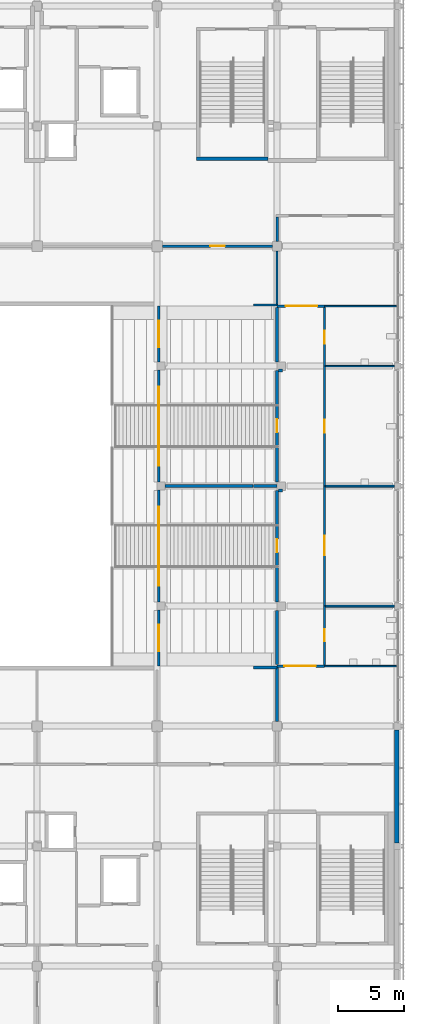
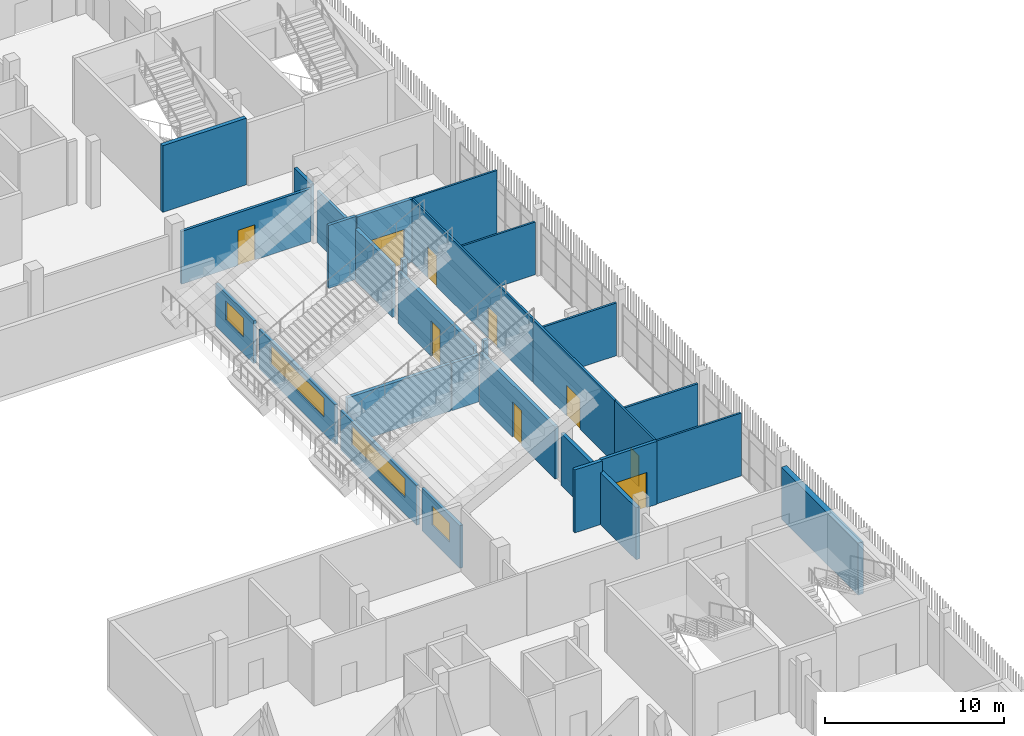
# One storey, part 90 of 139: 30 walls, 9 doors, 4 windows, 13 openings.
"""IFC4 building model written with IfcOpenShell, lengths in metres."""

from ifc_helpers import new_model, si_unit, direction, frame, frame_2d, origin, place, context, subcontext, project, spatial, rectangle, extrude, material, layer, layer_set, type_object, element, fill, save


model = new_model("IFC4")

# Units and contexts
model_context = context("Model", 3, precision=1e-05, world=origin(), true_north=direction((0.0, 1.0)))
body_context = subcontext(model_context, "Body", "Model", "MODEL_VIEW")
ifc_project = project(units=[si_unit("LENGTHUNIT", "METRE"), si_unit("AREAUNIT", "SQUARE_METRE"), si_unit("VOLUMEUNIT", "CUBIC_METRE"), si_unit("PLANEANGLEUNIT", "RADIAN"), si_unit("MASSUNIT", "GRAM", prefix="KILO")], contexts=[model_context])

# Site, building, storey
site_placement = place(None, origin())
site = spatial("IfcSite", under=ifc_project, at=site_placement, CompositionType="ELEMENT")
building_placement = place(site_placement, origin())
building = spatial("IfcBuilding", under=site, at=building_placement, Name="Shirokan Park Arena", CompositionType="ELEMENT")
storey_placement = place(building_placement, frame((0.0, 0.0, 15.469970703125)))
storey = spatial("IfcBuildingStorey", under=building, at=storey_placement, Name="L03", CompositionType="ELEMENT", Elevation=15.469970703125)

# Wall, opening, door
ifc_material_1 = material(Name="Gypsum board")
ifc_layer_1 = layer(ifc_material_1, 0.02490234375, Name="Gypsum board, two layers")
ifc_material_2 = material(Name="Mineral wool insulation")
ifc_layer_2 = layer(ifc_material_2, 0.10009765625, Name="Acoustic mineral wool in studs")
ifc_layer_3 = layer(ifc_material_1, 0.02490234375, Name="Gypsum board, two layers")
ifc_material_3 = material(Name="Acoustic mat on resilient channel")
ifc_layer_4 = layer(ifc_material_3, 0.02490234375, Name="Acoustic mat on resilient channel")
ifc_layer_set_1 = layer_set([ifc_layer_1, ifc_layer_2, ifc_layer_3, ifc_layer_4], Name="Gypsum board, two layers + Acoustic mineral wool in studs + Acoustic mat on resilient channel")
wall_type_1 = type_object("IfcWallType", Name="Acoustic studio wall 175", PredefinedType="PARTITIONING", material=ifc_layer_set_1)
wall_1_placement = place(storey_placement, frame((127.800048828125, 72.800048828125, 0.0), z_axis=(0.0, 0.0, 1.0), x_axis=(1.0, 0.0, 0.0)))
wall_1 = element("IfcWall", 1, at=wall_1_placement, inside=storey, type_object=wall_type_1, Name="Acoustic studio wall 175 L03", PredefinedType="PARTITIONING", context=body_context, shape_type="SweptSolid", body=[
    extrude(rectangle(XDim=8.349853515625, YDim=0.175048828125, at=frame_2d((4.1748046875, 0.0))), origin(), (0.0, 0.0, 1.0), 3.60009765625),
])
opening_1_placement = place(wall_1_placement, frame((3.64990234375, 0.0, 0.0)))
opening_1 = element("IfcOpeningElement", 2, at=opening_1_placement, cuts=wall_1, Name="Opening D-3029", PredefinedType="OPENING", context=body_context, shape_type="SweptSolid", body=[
    extrude(rectangle(XDim=1.10009765625, YDim=2.39990234375, at=frame_2d((0.550048828125, 1.199951171875))), frame((0.0, 0.097412109375, 0.0), z_axis=(0.0, -1.0, 0.0), x_axis=(1.0, 0.0, 0.0)), (0.0, 0.0, 1.0), 0.195068359375),
])
ifc_material_4 = material(Name="Acoustic timber door set, fire resisting", Category="wood")
door_type_1 = type_object("IfcDoorType", Name="Acoustic studio door 1100 x 2400", OperationType="SINGLE_SWING_LEFT", PredefinedType="DOOR", material=ifc_material_4)
door_1_placement = place(opening_1_placement, origin())
door_1 = element("IfcDoor", 3, at=door_1_placement, inside=storey, type_object=door_type_1, Name="Door to Media Centre 3.31 D-3029", OperationType="SINGLE_SWING_RIGHT", OverallHeight=2.39990234375, OverallWidth=1.10009765625, PredefinedType="DOOR", context=body_context, shape_type="SweptSolid", body=[
    extrude(rectangle(XDim=1.10009765625, YDim=2.39990234375, at=frame_2d((0.550048828125, 1.199951171875))), frame((0.0, 0.02490234375, 0.0), z_axis=(0.0, -1.0, 0.0), x_axis=(1.0, 0.0, 0.0)), (0.0, 0.0, 1.0), 0.050048828125),
])
fill(opening_1, door_1)

# Walls
wall_2_placement = place(storey_placement, frame((136.5, 68.33837890625, 0.0), z_axis=(0.0, 0.0, 1.0), x_axis=(-1.0, 0.0, 0.0)))
element("IfcWall", 4, at=wall_2_placement, inside=storey, type_object=wall_type_1, Name="Acoustic studio wall 175 L03", PredefinedType="PARTITIONING", context=body_context, shape_type="SweptSolid", body=[
    extrude(rectangle(XDim=1.77001953125, YDim=0.175048828125, at=frame_2d((0.885009765625, 0.0))), origin(), (0.0, 0.0, 1.0), 4.300048828125),
])
wall_3_placement = place(storey_placement, frame((136.5, 72.449951171875, 0.0), z_axis=(0.0, 0.0, 1.0), x_axis=(0.0, -1.0, 0.0)))
element("IfcWall", 5, at=wall_3_placement, inside=storey, type_object=wall_type_1, Name="Acoustic studio wall 175 L03", PredefinedType="PARTITIONING", context=body_context, shape_type="SweptSolid", body=[
    extrude(rectangle(XDim=4.099853515625, YDim=0.175048828125, at=frame_2d((2.0498046875, 0.0))), origin(), (0.0, 0.0, 1.0), 3.550048828125),
])

# Wall, opening, window
ifc_material_5 = material(Name="Cedar timber lining", Category="wood")
ifc_layer_5 = layer(ifc_material_5, 0.02001953125, Name="Cedar timber lining")
ifc_material_6 = material(Name="Plywood", Category="wood")
ifc_layer_6 = layer(ifc_material_6, 0.01806640625, Name="Plywood")
ifc_layer_7 = layer(ifc_material_2, 0.14208984375, Name="Mineral wool insulation")
ifc_layer_8 = layer(ifc_material_1, 0.02001953125, Name="Gypsum board")
ifc_layer_set_2 = layer_set([ifc_layer_5, ifc_layer_6, ifc_layer_7, ifc_layer_8], Name="Cedar timber lining + Plywood + Mineral wool insulation + Gypsum board")
wall_type_2 = type_object("IfcWallType", Name="Bowl front wall 200", PredefinedType="PARTITIONING", material=ifc_layer_set_2)
wall_4_placement = place(storey_placement, frame((127.530029296875, 40.949951171875, 0.0), z_axis=(0.0, 0.0, 1.0), x_axis=(0.0, 1.0, 0.0)))
wall_4 = element("IfcWall", 6, at=wall_4_placement, inside=storey, type_object=wall_type_2, Name="Bowl front wall 200 L03", PredefinedType="PARTITIONING", context=body_context, shape_type="SweptSolid", body=[
    extrude(rectangle(XDim=4.25, YDim=0.199951171875, at=frame_2d((2.125, 0.0))), origin(), (0.0, 0.0, 1.0), 2.909912109375),
])
opening_2_placement = place(wall_4_placement, frame((1.125, 0.0, 1.10009765625)))
opening_2 = element("IfcOpeningElement", 7, at=opening_2_placement, cuts=wall_4, Name="Opening W7", PredefinedType="OPENING", context=body_context, shape_type="SweptSolid", body=[
    extrude(rectangle(XDim=2.0, YDim=1.300048828125, at=frame_2d((1.0, 0.64990234375))), frame((0.0, 0.10986328125, 0.0), z_axis=(0.0, -1.0, 0.0), x_axis=(1.0, 0.0, 0.0)), (0.0, 0.0, 1.0), 0.219970703125),
])
ifc_material_7 = material(Name="Aluminium frame with laminated glass", Category="aluminium")
window_type_1 = type_object("IfcWindowType", Name="Suite viewing window 2000 x 1300", PartitioningType="SINGLE_PANEL", PredefinedType="WINDOW", material=ifc_material_7)
window_1_placement = place(opening_2_placement, origin())
window_1 = element("IfcWindow", 8, at=window_1_placement, inside=storey, type_object=window_type_1, Name="Suite viewing window 2000 x 1300 L03", OverallHeight=1.300048828125, OverallWidth=2.0, PartitioningType="SINGLE_PANEL", PredefinedType="WINDOW", context=body_context, shape_type="SweptSolid", body=[
    extrude(rectangle(XDim=2.0, YDim=1.300048828125, at=frame_2d((1.0, 0.64990234375))), frame((0.0, 0.030029296875, 0.0), z_axis=(0.0, -1.0, 0.0), x_axis=(1.0, 0.0, 0.0)), (0.0, 0.0, 1.0), 0.06005859375),
])
fill(opening_2, window_1)

wall_5_placement = place(storey_placement, frame((127.530029296875, 45.800048828125, 0.0), z_axis=(0.0, 0.0, 1.0), x_axis=(0.0, 1.0, 0.0)))
wall_5 = element("IfcWall", 9, at=wall_5_placement, inside=storey, type_object=wall_type_2, Name="Bowl front wall 200 L03", PredefinedType="PARTITIONING", context=body_context, shape_type="SweptSolid", body=[
    extrude(rectangle(XDim=8.5, YDim=0.199951171875, at=frame_2d((4.25, 0.0))), origin(), (0.0, 0.0, 1.0), 2.7099609375),
])
opening_3_placement = place(wall_5_placement, frame((1.25, 0.0, 1.10009765625)))
opening_3 = element("IfcOpeningElement", 10, at=opening_3_placement, cuts=wall_5, Name="Opening W8", PredefinedType="OPENING", context=body_context, shape_type="SweptSolid", body=[
    extrude(rectangle(XDim=6.0, YDim=1.300048828125, at=frame_2d((3.0, 0.64990234375))), frame((0.0, 0.10986328125, 0.0), z_axis=(0.0, -1.0, 0.0), x_axis=(1.0, 0.0, 0.0)), (0.0, 0.0, 1.0), 0.219970703125),
])
window_type_2 = type_object("IfcWindowType", Name="Suite viewing window 6000 x 1300", PartitioningType="SINGLE_PANEL", PredefinedType="WINDOW", material=ifc_material_7)
window_2_placement = place(opening_3_placement, origin())
window_2 = element("IfcWindow", 11, at=window_2_placement, inside=storey, type_object=window_type_2, Name="Suite viewing window 6000 x 1300 L03", OverallHeight=1.300048828125, OverallWidth=6.0, PartitioningType="SINGLE_PANEL", PredefinedType="WINDOW", context=body_context, shape_type="SweptSolid", body=[
    extrude(rectangle(XDim=6.0, YDim=1.300048828125, at=frame_2d((3.0, 0.64990234375))), frame((0.0, 0.030029296875, 0.0), z_axis=(0.0, -1.0, 0.0), x_axis=(1.0, 0.0, 0.0)), (0.0, 0.0, 1.0), 0.06005859375),
])
fill(opening_3, window_2)

wall_6_placement = place(storey_placement, frame((127.530029296875, 54.89990234375, 0.0), z_axis=(0.0, 0.0, 1.0), x_axis=(0.0, 1.0, 0.0)))
wall_6 = element("IfcWall", 12, at=wall_6_placement, inside=storey, type_object=wall_type_2, Name="Bowl front wall 200 L03", PredefinedType="PARTITIONING", context=body_context, shape_type="SweptSolid", body=[
    extrude(rectangle(XDim=8.5, YDim=0.199951171875, at=frame_2d((4.25, 0.0))), origin(), (0.0, 0.0, 1.0), 2.7099609375),
])
opening_4_placement = place(wall_6_placement, frame((1.25, 0.0, 1.10009765625)))
opening_4 = element("IfcOpeningElement", 13, at=opening_4_placement, cuts=wall_6, Name="Opening W8", PredefinedType="OPENING", context=body_context, shape_type="SweptSolid", body=[
    extrude(rectangle(XDim=6.0, YDim=1.300048828125, at=frame_2d((3.0, 0.64990234375))), frame((0.0, 0.10986328125, 0.0), z_axis=(0.0, -1.0, 0.0), x_axis=(1.0, 0.0, 0.0)), (0.0, 0.0, 1.0), 0.219970703125),
])
window_3_placement = place(opening_4_placement, origin())
window_3 = element("IfcWindow", 14, at=window_3_placement, inside=storey, type_object=window_type_2, Name="Suite viewing window 6000 x 1300 L03", OverallHeight=1.300048828125, OverallWidth=6.0, PartitioningType="SINGLE_PANEL", PredefinedType="WINDOW", context=body_context, shape_type="SweptSolid", body=[
    extrude(rectangle(XDim=6.0, YDim=1.300048828125, at=frame_2d((3.0, 0.64990234375))), frame((0.0, 0.030029296875, 0.0), z_axis=(0.0, -1.0, 0.0), x_axis=(1.0, 0.0, 0.0)), (0.0, 0.0, 1.0), 0.06005859375),
])
fill(opening_4, window_3)

wall_7_placement = place(storey_placement, frame((127.530029296875, 64.0, 0.0), z_axis=(0.0, 0.0, 1.0), x_axis=(0.0, 1.0, 0.0)))
wall_7 = element("IfcWall", 15, at=wall_7_placement, inside=storey, type_object=wall_type_2, Name="Bowl front wall 200 L03", PredefinedType="PARTITIONING", context=body_context, shape_type="SweptSolid", body=[
    extrude(rectangle(XDim=4.25, YDim=0.199951171875, at=frame_2d((2.125, 0.0))), origin(), (0.0, 0.0, 1.0), 2.909912109375),
])
opening_5_placement = place(wall_7_placement, frame((1.125, 0.0, 1.10009765625)))
opening_5 = element("IfcOpeningElement", 16, at=opening_5_placement, cuts=wall_7, Name="Opening W7", PredefinedType="OPENING", context=body_context, shape_type="SweptSolid", body=[
    extrude(rectangle(XDim=2.0, YDim=1.300048828125, at=frame_2d((1.0, 0.64990234375))), frame((0.0, 0.10986328125, 0.0), z_axis=(0.0, -1.0, 0.0), x_axis=(1.0, 0.0, 0.0)), (0.0, 0.0, 1.0), 0.219970703125),
])
window_4_placement = place(opening_5_placement, origin())
window_4 = element("IfcWindow", 17, at=window_4_placement, inside=storey, type_object=window_type_1, Name="Suite viewing window 2000 x 1300 L03", OverallHeight=1.300048828125, OverallWidth=2.0, PartitioningType="SINGLE_PANEL", PredefinedType="WINDOW", context=body_context, shape_type="SweptSolid", body=[
    extrude(rectangle(XDim=2.0, YDim=1.300048828125, at=frame_2d((1.0, 0.64990234375))), frame((0.0, 0.030029296875, 0.0), z_axis=(0.0, -1.0, 0.0), x_axis=(1.0, 0.0, 0.0)), (0.0, 0.0, 1.0), 0.06005859375),
])
fill(opening_5, window_4)

# Wall
ifc_material_8 = material(Name="Plaster")
ifc_layer_9 = layer(ifc_material_8, 0.014892578125, Name="Plaster")
ifc_material_9 = material(Name="Concrete blockwork", Category="masonry")
ifc_layer_10 = layer(ifc_material_9, 0.219970703125, Name="Concrete blockwork 220")
ifc_layer_11 = layer(ifc_material_8, 0.014892578125, Name="Plaster")
ifc_layer_set_3 = layer_set([ifc_layer_9, ifc_layer_10, ifc_layer_11], Name="Plaster + Concrete blockwork 220")
wall_type_3 = type_object("IfcWallType", Name="Compartment wall 250", PredefinedType="SOLIDWALL", material=ifc_layer_set_3)
wall_8_placement = place(storey_placement, frame((136.5, 40.83740234375, 0.0), z_axis=(0.0, 0.0, 1.0), x_axis=(0.0, -1.0, 0.0)))
element("IfcWall", 18, at=wall_8_placement, inside=storey, type_object=wall_type_3, Name="Compartment wall 250 L03", PredefinedType="SOLIDWALL", context=body_context, shape_type="SweptSolid", body=[
    extrude(rectangle(XDim=4.08740234375, YDim=0.25, at=frame_2d((2.043701171875, 0.0))), origin(), (0.0, 0.0, 1.0), 3.550048828125),
])

# Wall, opening, door
ifc_layer_12 = layer(ifc_material_1, 0.02490234375, Name="Gypsum board, two layers")
ifc_layer_13 = layer(ifc_material_2, 0.14990234375, Name="Mineral wool insulation")
ifc_layer_14 = layer(ifc_material_1, 0.02490234375, Name="Gypsum board, two layers")
ifc_layer_set_4 = layer_set([ifc_layer_12, ifc_layer_13, ifc_layer_14], Name="Gypsum board, two layers + Mineral wool insulation")
wall_type_4 = type_object("IfcWallType", Name="Corridor wall 200", PredefinedType="PARTITIONING", material=ifc_layer_set_4)
wall_9_placement = place(storey_placement, frame((136.5, 40.949951171875, 0.0), z_axis=(0.0, 0.0, 1.0), x_axis=(1.0, 0.0, 0.0)))
wall_9 = element("IfcWall", 19, at=wall_9_placement, inside=storey, type_object=wall_type_4, Name="Corridor wall 200 L03", PredefinedType="PARTITIONING", context=body_context, shape_type="SweptSolid", body=[
    extrude(rectangle(XDim=3.60009765625, YDim=0.199951171875, at=frame_2d((1.800048828125, 0.0))), origin(), (0.0, 0.0, 1.0), 4.300048828125),
])
opening_6_placement = place(wall_9_placement, frame((0.550048828125, 0.0, 0.0)))
opening_6 = element("IfcOpeningElement", 20, at=opening_6_placement, cuts=wall_9, Name="Opening D-3110", PredefinedType="OPENING", context=body_context, shape_type="SweptSolid", body=[
    extrude(rectangle(XDim=2.39990234375, YDim=2.39990234375, at=frame_2d((1.199951171875, 1.199951171875))), frame((0.0, 0.10986328125, 0.0), z_axis=(0.0, -1.0, 0.0), x_axis=(1.0, 0.0, 0.0)), (0.0, 0.0, 1.0), 0.219970703125),
])
ifc_material_10 = material(Name="Steel door set, fire resisting", Category="steel")
door_type_2 = type_object("IfcDoorType", Name="Double door 2400 x 2400", OperationType="DOUBLE_DOOR_SINGLE_SWING", PredefinedType="DOOR", material=ifc_material_10)
door_2_placement = place(opening_6_placement, origin())
door_2 = element("IfcDoor", 21, at=door_2_placement, inside=storey, type_object=door_type_2, Name="Door between Concourse Link 2.3 and Suite Corridor 3.02 D-3110", OperationType="DOUBLE_DOOR_SINGLE_SWING", OverallHeight=2.39990234375, OverallWidth=2.39990234375, PredefinedType="DOOR", context=body_context, shape_type="SweptSolid", body=[
    extrude(rectangle(XDim=2.39990234375, YDim=2.39990234375, at=frame_2d((1.199951171875, 1.199951171875))), frame((0.0, 0.02490234375, 0.0), z_axis=(0.0, -1.0, 0.0), x_axis=(1.0, 0.0, 0.0)), (0.0, 0.0, 1.0), 0.050048828125),
])
fill(opening_6, door_2)

# Wall
wall_10_placement = place(storey_placement, frame((136.5, 75.0, 0.0), z_axis=(0.0, 0.0, 1.0), x_axis=(0.0, -1.0, 0.0)))
element("IfcWall", 22, at=wall_10_placement, inside=storey, type_object=wall_type_4, Name="Corridor wall 200 L03", PredefinedType="PARTITIONING", context=body_context, shape_type="SweptSolid", body=[
    extrude(rectangle(XDim=1.85009765625, YDim=0.199951171875, at=frame_2d((0.925048828125, 0.0))), origin(), (0.0, 0.0, 1.0), 3.550048828125),
])

# Wall, opening, door
wall_11_placement = place(storey_placement, frame((140.10009765625, 68.25, 0.0), z_axis=(0.0, 0.0, 1.0), x_axis=(-1.0, 0.0, 0.0)))
wall_11 = element("IfcWall", 23, at=wall_11_placement, inside=storey, type_object=wall_type_4, Name="Corridor wall 200 L03", PredefinedType="PARTITIONING", context=body_context, shape_type="SweptSolid", body=[
    extrude(rectangle(XDim=3.60009765625, YDim=0.199951171875, at=frame_2d((1.800048828125, 0.0))), origin(), (0.0, 0.0, 1.0), 4.300048828125),
])
opening_7_placement = place(wall_11_placement, frame((0.550048828125, 0.0, 0.0)))
opening_7 = element("IfcOpeningElement", 24, at=opening_7_placement, cuts=wall_11, Name="Opening D-3124", PredefinedType="OPENING", context=body_context, shape_type="SweptSolid", body=[
    extrude(rectangle(XDim=2.39990234375, YDim=2.39990234375, at=frame_2d((1.199951171875, 1.199951171875))), frame((0.0, 0.10986328125, 0.0), z_axis=(0.0, -1.0, 0.0), x_axis=(1.0, 0.0, 0.0)), (0.0, 0.0, 1.0), 0.219970703125),
])
door_3_placement = place(opening_7_placement, origin())
door_3 = element("IfcDoor", 25, at=door_3_placement, inside=storey, type_object=door_type_2, Name="Door between Concourse Link 3.3 and Suite Corridor 3.02 D-3124", OperationType="DOUBLE_DOOR_SINGLE_SWING", OverallHeight=2.39990234375, OverallWidth=2.39990234375, PredefinedType="DOOR", context=body_context, shape_type="SweptSolid", body=[
    extrude(rectangle(XDim=2.39990234375, YDim=2.39990234375, at=frame_2d((1.199951171875, 1.199951171875))), frame((0.0, 0.02490234375, 0.0), z_axis=(0.0, -1.0, 0.0), x_axis=(1.0, 0.0, 0.0)), (0.0, 0.0, 1.0), 0.050048828125),
])
fill(opening_7, door_3)

# Wall
ifc_material_11 = material(Name="Cedar cladding")
ifc_layer_15 = layer(ifc_material_11, 0.030029296875, Name="Cedar cladding")
ifc_layer_16 = layer(ifc_material_2, 0.10009765625, Name="Mineral wool insulation")
ifc_material_12 = material(Name="Concrete C35", Category="concrete")
ifc_layer_17 = layer(ifc_material_12, 0.199951171875, Name="Concrete C35")
ifc_material_13 = material(Name="Gypsum board lining")
ifc_layer_18 = layer(ifc_material_13, 0.02001953125, Name="Gypsum board lining")
ifc_layer_set_5 = layer_set([ifc_layer_15, ifc_layer_16, ifc_layer_17, ifc_layer_18], Name="Cedar cladding + Mineral wool insulation + Concrete C35 + Gypsum board lining")
wall_type_5 = type_object("IfcWallType", Name="Insulated tower wall 350", PredefinedType="SOLIDWALL", material=ifc_layer_set_5)
wall_12_placement = place(storey_placement, frame((145.574951171875, 27.550048828125, 0.0), z_axis=(0.0, 0.0, 1.0), x_axis=(0.0, 1.0, 0.0)))
element("IfcWall", 26, at=wall_12_placement, inside=storey, type_object=wall_type_5, Name="East facade wall bay 4 L03", PredefinedType="SOLIDWALL", context=body_context, shape_type="SweptSolid", body=[
    extrude(rectangle(XDim=8.574951171875, YDim=0.35009765625, at=frame_2d((4.28759765625, 0.0))), origin(), (0.0, 0.0, 1.0), 3.550048828125),
])

# Wall, opening, door
ifc_material_14 = material(Name="Ceramic tile")
ifc_layer_19 = layer(ifc_material_14, 0.010009765625, Name="Ceramic tile")
ifc_material_15 = material(Name="Render")
ifc_layer_20 = layer(ifc_material_15, 0.010009765625, Name="Render")
ifc_layer_21 = layer(ifc_material_9, 0.10009765625, Name="Concrete blockwork 100")
ifc_layer_22 = layer(ifc_material_15, 0.010009765625, Name="Render")
ifc_layer_23 = layer(ifc_material_14, 0.010009765625, Name="Ceramic tile")
ifc_layer_set_6 = layer_set([ifc_layer_19, ifc_layer_20, ifc_layer_21, ifc_layer_22, ifc_layer_23], Name="Ceramic tile + Render + Concrete blockwork 100")
wall_type_6 = type_object("IfcWallType", Name="Kitchen wall 140", PredefinedType="SOLIDWALL", material=ifc_layer_set_6)
wall_13_placement = place(storey_placement, frame((140.10009765625, 54.60009765625, 0.0), z_axis=(0.0, 0.0, 1.0), x_axis=(0.0, -1.0, 0.0)))
wall_13 = element("IfcWall", 27, at=wall_13_placement, inside=storey, type_object=wall_type_6, Name="Kitchen wall 140 L03", PredefinedType="SOLIDWALL", context=body_context, shape_type="SweptSolid", body=[
    extrude(rectangle(XDim=9.10009765625, YDim=0.139892578125, at=frame_2d((4.550048828125, 0.0))), origin(), (0.0, 0.0, 1.0), 4.300048828125),
])
opening_8_placement = place(wall_13_placement, frame((3.75, 0.0, 0.0)))
opening_8 = element("IfcOpeningElement", 28, at=opening_8_placement, cuts=wall_13, Name="Opening D-3042", PredefinedType="OPENING", context=body_context, shape_type="SweptSolid", body=[
    extrude(rectangle(XDim=1.5, YDim=2.10009765625, at=frame_2d((0.75, 1.050048828125))), frame((0.0, 0.079833984375, 0.0), z_axis=(0.0, -1.0, 0.0), x_axis=(1.0, 0.0, 0.0)), (0.0, 0.0, 1.0), 0.159912109375),
])
ifc_material_16 = material(Name="Stainless steel door set, fire resisting", Category="steel")
door_type_3 = type_object("IfcDoorType", Name="Kitchen door 1500 x 2100", OperationType="DOUBLE_DOOR_SINGLE_SWING", PredefinedType="DOOR", material=ifc_material_16)
door_4_placement = place(opening_8_placement, origin())
door_4 = element("IfcDoor", 29, at=door_4_placement, inside=storey, type_object=door_type_3, Name="Door to Suite Pantry 3.22 D-3042", OperationType="DOUBLE_DOOR_SINGLE_SWING", OverallHeight=2.10009765625, OverallWidth=1.5, PredefinedType="DOOR", context=body_context, shape_type="SweptSolid", body=[
    extrude(rectangle(XDim=1.5, YDim=2.10009765625, at=frame_2d((0.75, 1.050048828125))), frame((0.0, 0.02490234375, 0.0), z_axis=(0.0, -1.0, 0.0), x_axis=(1.0, 0.0, 0.0)), (0.0, 0.0, 1.0), 0.050048828125),
])
fill(opening_8, door_4)

# Walls
for number, where, z_axis, x_axis, name in (
    (30, (140.169921875, 45.5, 0.0), (0.0, 0.0, 1.0), (1.0, 0.0, 0.0), "Kitchen wall 140 L03"),
    (31, (140.169921875, 54.60009765625, 0.0), (0.0, 0.0, 1.0), (1.0, 0.0, 0.0), "Kitchen wall 140 L03"),
):
    element("IfcWall", number, at=place(storey_placement, frame(where, z_axis=z_axis, x_axis=x_axis)), inside=storey, type_object=wall_type_6, Name=name, PredefinedType="SOLIDWALL", context=body_context, shape_type="SweptSolid", body=[
        extrude(rectangle(XDim=5.22998046875, YDim=0.139892578125, at=frame_2d((2.614990234375, 0.0))), origin(), (0.0, 0.0, 1.0), 3.60009765625),
    ])
ifc_material_17 = material(Name="Concrete C40/50", Category="concrete")
ifc_layer_24 = layer(ifc_material_17, 0.25)
ifc_layer_set_7 = layer_set([ifc_layer_24], Name="Concrete C40/50 250 mm")
wall_type_7 = type_object("IfcWallType", Name="RC shear wall 250", PredefinedType="SHEAR", material=ifc_layer_set_7)
wall_14_placement = place(storey_placement, frame((135.800048828125, 79.425048828125, 0.0), z_axis=(0.0, 0.0, 1.0), x_axis=(-1.0, 0.0, 0.0)))
element("IfcWall", 32, at=wall_14_placement, inside=storey, type_object=wall_type_7, Name="Shaft wall Exit Stair 3.F S L03", PredefinedType="SHEAR", context=body_context, shape_type="SweptSolid", body=[
    extrude(rectangle(XDim=5.400146484375, YDim=0.25, at=frame_2d((2.7001953125, 0.0))), origin(), (0.0, 0.0, 1.0), 4.550048828125),
])
ifc_layer_25 = layer(ifc_material_1, 0.02490234375, Name="Gypsum board, two layers")
ifc_layer_26 = layer(ifc_material_2, 0.074951171875, Name="Mineral wool insulation")
ifc_material_18 = material(Name="Air cavity")
ifc_layer_27 = layer(ifc_material_18, 0.02490234375, Name="Air cavity")
ifc_layer_28 = layer(ifc_material_2, 0.074951171875, Name="Mineral wool insulation")
ifc_layer_29 = layer(ifc_material_1, 0.02490234375, Name="Gypsum board, two layers")
ifc_layer_set_8 = layer_set([ifc_layer_25, ifc_layer_26, ifc_layer_27, ifc_layer_28, ifc_layer_29], Name="Gypsum board, two layers + Mineral wool insulation + Air cavity")
wall_type_8 = type_object("IfcWallType", Name="Suite party wall 225", PredefinedType="PARTITIONING", material=ifc_layer_set_8)
wall_15_placement = place(storey_placement, frame((128.0, 54.60009765625, 0.0), z_axis=(0.0, 0.0, 1.0), x_axis=(1.0, 0.0, 0.0)))
element("IfcWall", 33, at=wall_15_placement, inside=storey, type_object=wall_type_8, Name="Suite party wall 225 L03", PredefinedType="PARTITIONING", context=body_context, shape_type="SweptSolid", body=[
    extrude(rectangle(XDim=6.669921875, YDim=0.22509765625, at=frame_2d((3.3349609375, 0.0))), origin(), (0.0, 0.0, 1.0), 3.219970703125),
])
wall_16_placement = place(storey_placement, frame((134.72998046875, 40.83642578125, 0.0), z_axis=(0.0, 0.0, 1.0), x_axis=(1.0, 0.0, 0.0)))
element("IfcWall", 34, at=wall_16_placement, inside=storey, type_object=wall_type_8, Name="Suite party wall 225 L03", PredefinedType="PARTITIONING", context=body_context, shape_type="SweptSolid", body=[
    extrude(rectangle(XDim=1.77001953125, YDim=0.22509765625, at=frame_2d((0.885009765625, 0.0))), origin(), (0.0, 0.0, 1.0), 4.300048828125),
])
wall_17_placement = place(storey_placement, frame((134.72998046875, 54.60009765625, 0.0), z_axis=(0.0, 0.0, 1.0), x_axis=(1.0, 0.0, 0.0)))
element("IfcWall", 35, at=wall_17_placement, inside=storey, type_object=wall_type_8, Name="Suite party wall 225 L03", PredefinedType="PARTITIONING", context=body_context, shape_type="SweptSolid", body=[
    extrude(rectangle(XDim=1.77001953125, YDim=0.22509765625, at=frame_2d((0.885009765625, 0.0))), origin(), (0.0, 0.0, 1.0), 3.219970703125),
])
wall_18_placement = place(storey_placement, frame((136.5, 41.0625, 0.0), z_axis=(0.0, 0.0, 1.0), x_axis=(0.0, 1.0, 0.0)))
element("IfcWall", 36, at=wall_18_placement, inside=storey, type_object=wall_type_8, Name="Suite party wall 225 L03", PredefinedType="PARTITIONING", context=body_context, shape_type="SweptSolid", body=[
    extrude(rectangle(XDim=4.112548828125, YDim=0.22509765625, at=frame_2d((2.05615234375, 0.0))), origin(), (0.0, 0.0, 1.0), 3.550048828125),
])

# Wall, opening, door
wall_19_placement = place(storey_placement, frame((136.5, 45.824951171875, 0.0), z_axis=(0.0, 0.0, 1.0), x_axis=(0.0, 1.0, 0.0)))
wall_19 = element("IfcWall", 37, at=wall_19_placement, inside=storey, type_object=wall_type_8, Name="Suite party wall 225 L03", PredefinedType="PARTITIONING", context=body_context, shape_type="SweptSolid", body=[
    extrude(rectangle(XDim=8.449951171875, YDim=0.22509765625, at=frame_2d((4.22509765625, 0.0))), origin(), (0.0, 0.0, 1.0), 3.550048828125),
])
opening_9_placement = place(wall_19_placement, frame((3.75, 0.0, 0.0)))
opening_9 = element("IfcOpeningElement", 38, at=opening_9_placement, cuts=wall_19, Name="Opening D-3045", PredefinedType="OPENING", context=body_context, shape_type="SweptSolid", body=[
    extrude(rectangle(XDim=1.0, YDim=2.39990234375, at=frame_2d((0.5, 1.199951171875))), frame((0.0, 0.12255859375, 0.0), z_axis=(0.0, -1.0, 0.0), x_axis=(1.0, 0.0, 0.0)), (0.0, 0.0, 1.0), 0.2451171875),
])
ifc_material_19 = material(Name="Glazed timber door set, fire resisting", Category="wood")
door_type_4 = type_object("IfcDoorType", Name="Suite door 1000 x 2400", OperationType="SINGLE_SWING_LEFT", PredefinedType="DOOR", material=ifc_material_19)
door_5_placement = place(opening_9_placement, origin())
door_5 = element("IfcDoor", 39, at=door_5_placement, inside=storey, type_object=door_type_4, Name="Door to Hospitality Suite 3.21 D-3045", OperationType="SINGLE_SWING_LEFT", OverallHeight=2.39990234375, OverallWidth=1.0, PredefinedType="DOOR", context=body_context, shape_type="SweptSolid", body=[
    extrude(rectangle(XDim=1.0, YDim=2.39990234375, at=frame_2d((0.5, 1.199951171875))), frame((0.0, 0.02490234375, 0.0), z_axis=(0.0, -1.0, 0.0), x_axis=(1.0, 0.0, 0.0)), (0.0, 0.0, 1.0), 0.050048828125),
])
fill(opening_9, door_5)

wall_20_placement = place(storey_placement, frame((136.5, 54.925048828125, 0.0), z_axis=(0.0, 0.0, 1.0), x_axis=(0.0, 1.0, 0.0)))
wall_20 = element("IfcWall", 40, at=wall_20_placement, inside=storey, type_object=wall_type_8, Name="Suite party wall 225 L03", PredefinedType="PARTITIONING", context=body_context, shape_type="SweptSolid", body=[
    extrude(rectangle(XDim=8.449951171875, YDim=0.22509765625, at=frame_2d((4.22509765625, 0.0))), origin(), (0.0, 0.0, 1.0), 3.550048828125),
])
opening_10_placement = place(wall_20_placement, frame((3.75, 0.0, 0.0)))
opening_10 = element("IfcOpeningElement", 41, at=opening_10_placement, cuts=wall_20, Name="Opening D-3046", PredefinedType="OPENING", context=body_context, shape_type="SweptSolid", body=[
    extrude(rectangle(XDim=1.0, YDim=2.39990234375, at=frame_2d((0.5, 1.199951171875))), frame((0.0, 0.12255859375, 0.0), z_axis=(0.0, -1.0, 0.0), x_axis=(1.0, 0.0, 0.0)), (0.0, 0.0, 1.0), 0.2451171875),
])
door_6_placement = place(opening_10_placement, origin())
door_6 = element("IfcDoor", 42, at=door_6_placement, inside=storey, type_object=door_type_4, Name="Door to Hospitality Suite 3.22 D-3046", OperationType="SINGLE_SWING_LEFT", OverallHeight=2.39990234375, OverallWidth=1.0, PredefinedType="DOOR", context=body_context, shape_type="SweptSolid", body=[
    extrude(rectangle(XDim=1.0, YDim=2.39990234375, at=frame_2d((0.5, 1.199951171875))), frame((0.0, 0.02490234375, 0.0), z_axis=(0.0, -1.0, 0.0), x_axis=(1.0, 0.0, 0.0)), (0.0, 0.0, 1.0), 0.050048828125),
])
fill(opening_10, door_6)

# Walls
wall_21_placement = place(storey_placement, frame((136.5, 64.02490234375, 0.0), z_axis=(0.0, 0.0, 1.0), x_axis=(0.0, 1.0, 0.0)))
element("IfcWall", 43, at=wall_21_placement, inside=storey, type_object=wall_type_8, Name="Suite party wall 225 L03", PredefinedType="PARTITIONING", context=body_context, shape_type="SweptSolid", body=[
    extrude(rectangle(XDim=4.125, YDim=0.22509765625, at=frame_2d((2.0625, 0.0))), origin(), (0.0, 0.0, 1.0), 3.550048828125),
])
for number, where, z_axis, x_axis, name in (
    (44, (136.60009765625, 54.27490234375, 0.0), (0.0, 0.0, 1.0), (1.0, 0.0, 0.0), "Suite party wall 225 L03"),
    (45, (136.60009765625, 63.375, 0.0), (0.0, 0.0, 1.0), (1.0, 0.0, 0.0), "Suite party wall 225 L03"),
):
    element("IfcWall", number, at=place(storey_placement, frame(where, z_axis=z_axis, x_axis=x_axis)), inside=storey, type_object=wall_type_8, Name=name, PredefinedType="PARTITIONING", context=body_context, shape_type="SweptSolid", body=[
        extrude(rectangle(XDim=0.324951171875, YDim=0.22509765625, at=frame_2d((0.16259765625, 0.0))), origin(), (0.0, 0.0, 1.0), 4.300048828125),
    ])
ifc_layer_30 = layer(ifc_material_14, 0.010009765625, Name="Ceramic tile")
ifc_material_20 = material(Name="Cement board")
ifc_layer_31 = layer(ifc_material_20, 0.012451171875, Name="Cement board")
ifc_layer_32 = layer(ifc_material_2, 0.080078125, Name="Mineral wool insulation")
ifc_layer_33 = layer(ifc_material_20, 0.012451171875, Name="Cement board")
ifc_layer_34 = layer(ifc_material_14, 0.010009765625, Name="Ceramic tile")
ifc_layer_set_9 = layer_set([ifc_layer_30, ifc_layer_31, ifc_layer_32, ifc_layer_33, ifc_layer_34], Name="Ceramic tile + Cement board + Mineral wool insulation")
wall_type_9 = type_object("IfcWallType", Name="Wet-area wall 125", PredefinedType="PARTITIONING", material=ifc_layer_set_9)
wall_22_placement = place(storey_placement, frame((140.10009765625, 40.949951171875, 0.0), z_axis=(0.0, 0.0, 1.0), x_axis=(1.0, 0.0, 0.0)))
element("IfcWall", 46, at=wall_22_placement, inside=storey, type_object=wall_type_9, Name="Wet-area wall 125 L03", PredefinedType="PARTITIONING", context=body_context, shape_type="SweptSolid", body=[
    extrude(rectangle(XDim=5.469970703125, YDim=0.125, at=frame_2d((2.73486328125, 0.0))), origin(), (0.0, 0.0, 1.0), 4.300048828125),
])

# Wall, opening, door
wall_23_placement = place(storey_placement, frame((140.10009765625, 45.5, 0.0), z_axis=(0.0, 0.0, 1.0), x_axis=(0.0, -1.0, 0.0)))
wall_23 = element("IfcWall", 47, at=wall_23_placement, inside=storey, type_object=wall_type_9, Name="Wet-area wall 125 L03", PredefinedType="PARTITIONING", context=body_context, shape_type="SweptSolid", body=[
    extrude(rectangle(XDim=4.449951171875, YDim=0.125, at=frame_2d((2.22509765625, 0.0))), origin(), (0.0, 0.0, 1.0), 4.300048828125),
])
opening_11_placement = place(wall_23_placement, frame((1.75, 0.0, 0.0)))
opening_11 = element("IfcOpeningElement", 48, at=opening_11_placement, cuts=wall_23, Name="Opening D-3041", PredefinedType="OPENING", context=body_context, shape_type="SweptSolid", body=[
    extrude(rectangle(XDim=0.89990234375, YDim=2.10009765625, at=frame_2d((0.449951171875, 1.050048828125))), frame((0.0, 0.072509765625, 0.0), z_axis=(0.0, -1.0, 0.0), x_axis=(1.0, 0.0, 0.0)), (0.0, 0.0, 1.0), 0.14501953125),
])
ifc_material_21 = material(Name="Timber door set, fire resisting", Category="wood")
door_type_5 = type_object("IfcDoorType", Name="Door 900 x 2100", OperationType="SINGLE_SWING_LEFT", PredefinedType="DOOR", material=ifc_material_21)
door_7_placement = place(opening_11_placement, origin())
door_7 = element("IfcDoor", 49, at=door_7_placement, inside=storey, type_object=door_type_5, Name="Door to Women's WC 3.21 D-3041", OperationType="SINGLE_SWING_RIGHT", OverallHeight=2.10009765625, OverallWidth=0.89990234375, PredefinedType="DOOR", context=body_context, shape_type="SweptSolid", body=[
    extrude(rectangle(XDim=0.89990234375, YDim=2.10009765625, at=frame_2d((0.449951171875, 1.050048828125))), frame((0.0, 0.02490234375, 0.0), z_axis=(0.0, -1.0, 0.0), x_axis=(1.0, 0.0, 0.0)), (0.0, 0.0, 1.0), 0.050048828125),
])
fill(opening_11, door_7)

# Wall, openings, doors
wall_24_placement = place(storey_placement, frame((140.10009765625, 54.60009765625, 0.0), z_axis=(0.0, 0.0, 1.0), x_axis=(0.0, 1.0, 0.0)))
wall_24 = element("IfcWall", 50, at=wall_24_placement, inside=storey, type_object=wall_type_9, Name="Wet-area wall 125 L03", PredefinedType="PARTITIONING", context=body_context, shape_type="SweptSolid", body=[
    extrude(rectangle(XDim=13.5498046875, YDim=0.125, at=frame_2d((6.77490234375, 0.0))), origin(), (0.0, 0.0, 1.0), 4.300048828125),
])
opening_12_placement = place(wall_24_placement, frame((4.050048828125, 0.0, 0.0)))
opening_12 = element("IfcOpeningElement", 51, at=opening_12_placement, cuts=wall_24, Name="Opening D-3043", PredefinedType="OPENING", context=body_context, shape_type="SweptSolid", body=[
    extrude(rectangle(XDim=1.0, YDim=2.10009765625, at=frame_2d((0.5, 1.050048828125))), frame((0.0, 0.072509765625, 0.0), z_axis=(0.0, -1.0, 0.0), x_axis=(1.0, 0.0, 0.0)), (0.0, 0.0, 1.0), 0.14501953125),
])
opening_13_placement = place(wall_24_placement, frame((10.800048828125, 0.0, 0.0)))
opening_13 = element("IfcOpeningElement", 52, at=opening_13_placement, cuts=wall_24, Name="Opening D-3044", PredefinedType="OPENING", context=body_context, shape_type="SweptSolid", body=[
    extrude(rectangle(XDim=1.0, YDim=2.10009765625, at=frame_2d((0.5, 1.050048828125))), frame((0.0, 0.072509765625, 0.0), z_axis=(0.0, -1.0, 0.0), x_axis=(1.0, 0.0, 0.0)), (0.0, 0.0, 1.0), 0.14501953125),
])
door_type_6 = type_object("IfcDoorType", Name="Accessible WC door 1000 x 2100", OperationType="SINGLE_SWING_RIGHT", PredefinedType="DOOR", material=ifc_material_21)
door_8_placement = place(opening_12_placement, origin())
door_8 = element("IfcDoor", 53, at=door_8_placement, inside=storey, type_object=door_type_6, Name="Door to Accessible WC 3.23 D-3043", OperationType="SINGLE_SWING_RIGHT", OverallHeight=2.10009765625, OverallWidth=1.0, PredefinedType="DOOR", context=body_context, shape_type="SweptSolid", body=[
    extrude(rectangle(XDim=1.0, YDim=2.10009765625, at=frame_2d((0.5, 1.050048828125))), frame((0.0, 0.02490234375, 0.0), z_axis=(0.0, -1.0, 0.0), x_axis=(1.0, 0.0, 0.0)), (0.0, 0.0, 1.0), 0.050048828125),
])
fill(opening_12, door_8)
door_9_placement = place(opening_13_placement, origin())
door_9 = element("IfcDoor", 54, at=door_9_placement, inside=storey, type_object=door_type_6, Name="Door to Accessible WC 3.24 D-3044", OperationType="SINGLE_SWING_LEFT", OverallHeight=2.10009765625, OverallWidth=1.0, PredefinedType="DOOR", context=body_context, shape_type="SweptSolid", body=[
    extrude(rectangle(XDim=1.0, YDim=2.10009765625, at=frame_2d((0.5, 1.050048828125))), frame((0.0, 0.02490234375, 0.0), z_axis=(0.0, -1.0, 0.0), x_axis=(1.0, 0.0, 0.0)), (0.0, 0.0, 1.0), 0.050048828125),
])
fill(opening_13, door_9)

# Walls
wall_25_placement = place(storey_placement, frame((140.16259765625, 63.699951171875, 0.0), z_axis=(0.0, 0.0, 1.0), x_axis=(1.0, 0.0, 0.0)))
element("IfcWall", 55, at=wall_25_placement, inside=storey, type_object=wall_type_9, Name="Wet-area wall 125 L03", PredefinedType="PARTITIONING", context=body_context, shape_type="SweptSolid", body=[
    extrude(rectangle(XDim=5.2373046875, YDim=0.125, at=frame_2d((2.61865234375, 0.0))), origin(), (0.0, 0.0, 1.0), 3.60009765625),
])
wall_26_placement = place(storey_placement, frame((145.570068359375, 68.25, 0.0), z_axis=(0.0, 0.0, 1.0), x_axis=(-1.0, 0.0, 0.0)))
element("IfcWall", 56, at=wall_26_placement, inside=storey, type_object=wall_type_9, Name="Wet-area wall 125 L03", PredefinedType="PARTITIONING", context=body_context, shape_type="SweptSolid", body=[
    extrude(rectangle(XDim=5.469970703125, YDim=0.125, at=frame_2d((2.73486328125, 0.0))), origin(), (0.0, 0.0, 1.0), 4.300048828125),
])

save(model, "model.ifc")
